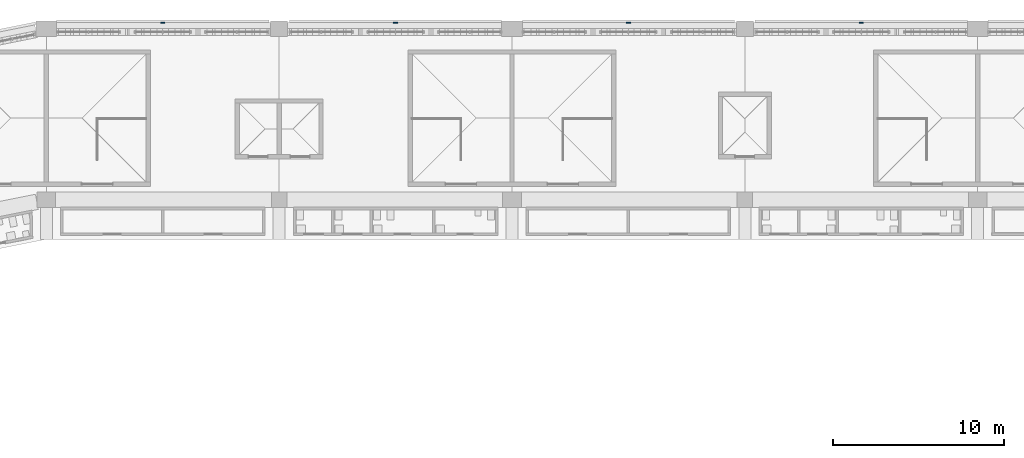
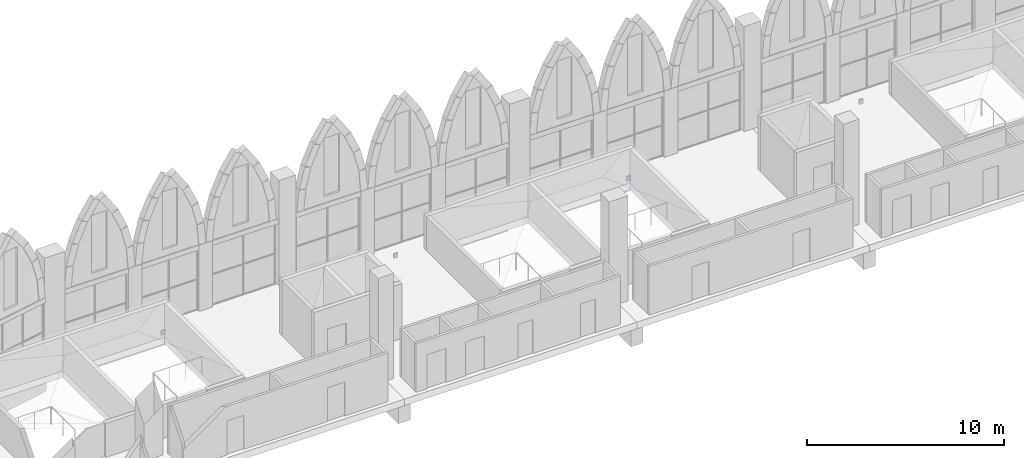
# One storey, part 98 of 130: 4 discrete accessories.
"""IFC4 building model written with IfcOpenShell, lengths in metres."""

from ifc_helpers import new_model, si_unit, direction, frame, origin, origin_2d, place, context, subcontext, project, spatial, rectangle, extrude, material, layer, layer_set, type_object, element, save


model = new_model("IFC4")

# Units and contexts
model_context = context("Model", 3, precision=1e-05, world=origin(), true_north=direction((0.0, 1.0)))
body_context = subcontext(model_context, "Body", "Model", "MODEL_VIEW")
ifc_project = project(units=[si_unit("LENGTHUNIT", "METRE"), si_unit("AREAUNIT", "SQUARE_METRE"), si_unit("VOLUMEUNIT", "CUBIC_METRE"), si_unit("PLANEANGLEUNIT", "RADIAN"), si_unit("MASSUNIT", "GRAM", prefix="KILO")], contexts=[model_context])

# Site, building, storey
site_placement = place(None, origin())
site = spatial("IfcSite", under=ifc_project, at=site_placement, CompositionType="ELEMENT")
building_placement = place(site_placement, origin())
building = spatial("IfcBuilding", under=site, at=building_placement, Name="Ogive Plaza Stadium", CompositionType="ELEMENT")
storey_placement = place(building_placement, frame((0.0, 0.0, 22.5)))
storey = spatial("IfcBuildingStorey", under=building, at=storey_placement, Name="L05", CompositionType="ELEMENT", Elevation=22.5)

# Discrete accessories
ifc_material = material(Name="Steel ASTM A572 Grade 50", Category="steel")
ifc_layer = layer(ifc_material, 0.080078125)
ifc_layer_set = layer_set([ifc_layer], Name="Steel ASTM A572 Grade 50")
discrete_accessory_type = type_object("IfcDiscreteAccessoryType", Name="Spandrel cladding bracket 250x300", PredefinedType="BRACKET", material=ifc_layer_set)
for number, where, z_axis, x_axis, name in (
    (1, (-27.199951171875, 102.85009765625, -1.31005859375), (0.0, 0.0, 1.0), (1.0, 0.0, 0.0), "SPANDREL BRACKET B32 L05"),
    (2, (-13.60009765625, 102.85009765625, -1.31005859375), (0.0, 0.0, 1.0), (1.0, 0.0, 0.0), "SPANDREL BRACKET B33 L05"),
    (3, (0.0, 102.85009765625, -1.31005859375), (0.0, 0.0, 1.0), (1.0, 0.0, 0.0), "SPANDREL BRACKET B34 L05"),
    (4, (13.60009765625, 102.85009765625, -1.31005859375), (0.0, 0.0, 1.0), (1.0, 0.0, 0.0), "SPANDREL BRACKET B35 L05"),
):
    element("IfcDiscreteAccessory", number, at=place(storey_placement, frame(where, z_axis=z_axis, x_axis=x_axis)), inside=storey, type_object=discrete_accessory_type, Name=name, PredefinedType="BRACKET", context=body_context, shape_type="SweptSolid", body=[
        extrude(rectangle(XDim=0.25, YDim=0.080078125, at=origin_2d()), origin(), (0.0, 0.0, 1.0), 0.300048828125),
    ])

save(model, "model.ifc")
